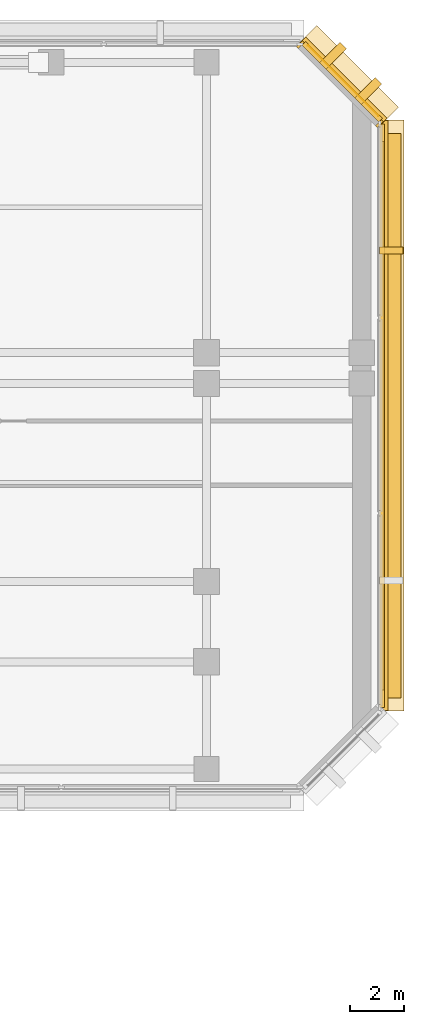
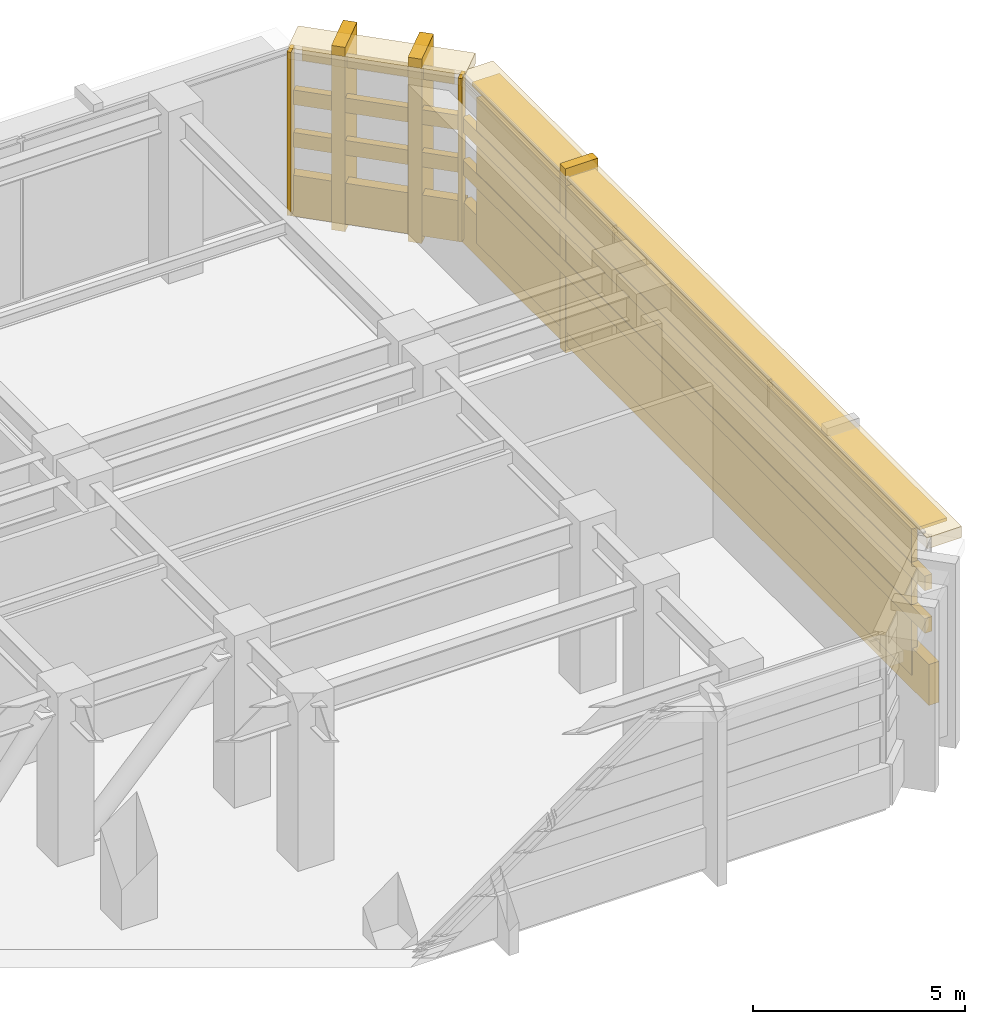
# One storey, part 13 of 13: 14 coverings, 2 shading devices.
"""IFC4 building model written with IfcOpenShell, lengths in metres."""

from ifc_helpers import new_model, si_unit, direction, frame, origin, origin_2d, place, context, subcontext, project, spatial, rectangle, extrude, material, layer, layer_set, type_object, element, save


model = new_model("IFC4")

# Units and contexts
model_context = context("Model", 3, precision=1e-05, world=origin(), true_north=direction((0.0, 1.0)))
body_context = subcontext(model_context, "Body", "Model", "MODEL_VIEW")
ifc_project = project(units=[si_unit("LENGTHUNIT", "METRE"), si_unit("AREAUNIT", "SQUARE_METRE"), si_unit("VOLUMEUNIT", "CUBIC_METRE"), si_unit("PLANEANGLEUNIT", "RADIAN"), si_unit("MASSUNIT", "GRAM", prefix="KILO")], contexts=[model_context])

# Site, building, storey
site_placement = place(None, origin())
site = spatial("IfcSite", under=ifc_project, at=site_placement, CompositionType="ELEMENT")
building_placement = place(site_placement, origin())
building = spatial("IfcBuilding", under=site, at=building_placement, Name="Kefirva Bronze Tower", CompositionType="ELEMENT")
storey_placement = place(building_placement, frame((0.0, 0.0, 93.719970703125)))
storey = spatial("IfcBuildingStorey", under=building, at=storey_placement, Name="L22", CompositionType="ELEMENT", Elevation=93.719970703125)

# Coverings
ifc_material = material(Name="Bronze anodised aluminium", Category="aluminium")
ifc_layer_1 = layer(ifc_material, 0.02001953125, Name="Bronze anodised aluminium")
ifc_layer_set_1 = layer_set([ifc_layer_1], Name="Bronze anodised aluminium")
covering_type_1 = type_object("IfcCoveringType", Name="Anodised Bronze Spandrel Cladding 20mm", PredefinedType="CLADDING", material=ifc_layer_set_1)
covering_1_placement = place(storey_placement, frame((56.0400390625, 32.0, -0.16015625), z_axis=(0.0, 0.0, 1.0), x_axis=(0.0, 1.0, 0.0)))
element("IfcCovering", 1, at=covering_1_placement, inside=storey, type_object=covering_type_1, Name="L22 Streamline Horizontal Spandrel Band 6", PredefinedType="CLADDING", context=body_context, shape_type="SweptSolid", body=[
    extrude(rectangle(XDim=22.0400390625, YDim=0.280029296875, at=origin_2d()), origin(), (0.0, 0.0, 1.0), 1.179931640625),
])
for number, where, z_axis, x_axis, name in (
    (2, (55.9599609375, 32.0, 1.858154296875), (0.0, 0.0, 1.0), (0.0, 1.0, 0.0), "L22 Recessed Zone-Break Bronze Louvre Band 6-1"),
    (3, (55.9599609375, 32.0, 3.080078125), (0.0, 0.0, 1.0), (0.0, 1.0, 0.0), "L22 Recessed Zone-Break Bronze Louvre Band 6-2"),
):
    element("IfcCovering", number, at=place(storey_placement, frame(where, z_axis=z_axis, x_axis=x_axis)), inside=storey, type_object=covering_type_1, Name=name, PredefinedType="CLADDING", context=body_context, shape_type="SweptSolid", body=[
        extrude(rectangle(XDim=21.800048828125, YDim=0.199951171875, at=origin_2d()), origin(), (0.0, 0.0, 1.0), 0.419921875),
    ])
covering_2_placement = place(storey_placement, frame((54.507080078125, 44.507080078125, 4.280029296875), z_axis=(0.0, 0.0, 1.0), x_axis=(-0.707106781187, 0.707106781187, 0.0)))
element("IfcCovering", 4, at=covering_2_placement, inside=storey, type_object=covering_type_1, Name="L22 Bronze Spandrel Cladding 5", PredefinedType="CLADDING", context=body_context, shape_type="SweptSolid", body=[
    extrude(rectangle(XDim=3.719482421875, YDim=0.02001953125, at=origin_2d()), origin(), (0.0, 0.0, 1.0), 0.39990234375),
])
for number, where, z_axis, x_axis, name in (
    (5, (55.862060546875, 42.91162109375, 0.0), (0.0, 0.0, 1.0), (-0.707106781187, 0.707106781187, 0.0), "L22 Facade Joint Closure Panel 5S"),
    (6, (52.91162109375, 45.862060546875, 0.0), (0.0, 0.0, 1.0), (-0.707106781187, 0.707106781187, 0.0), "L22 Facade Joint Closure Panel 5E"),
):
    element("IfcCovering", number, at=place(storey_placement, frame(where, z_axis=z_axis, x_axis=x_axis)), inside=storey, type_object=covering_type_1, Name=name, PredefinedType="CLADDING", context=body_context, shape_type="SweptSolid", body=[
        extrude(rectangle(XDim=0.10009765625, YDim=0.320068359375, at=origin_2d()), origin(), (0.0, 0.0, 1.0), 4.699951171875),
    ])
covering_3_placement = place(storey_placement, frame((54.5283203125, 44.5283203125, -0.16015625), z_axis=(0.0, 0.0, 1.0), x_axis=(-0.707106781187, 0.707106781187, 0.0)))
element("IfcCovering", 7, at=covering_3_placement, inside=storey, type_object=covering_type_1, Name="L22 Streamline Horizontal Spandrel Band 7", PredefinedType="CLADDING", context=body_context, shape_type="SweptSolid", body=[
    extrude(rectangle(XDim=4.28271484375, YDim=0.280029296875, at=origin_2d()), origin(), (0.0, 0.0, 1.0), 1.179931640625),
])
for number, where, z_axis, x_axis, name in (
    (8, (54.4716796875, 44.4716796875, 1.858154296875), (0.0, 0.0, 1.0), (-0.707106781187, 0.707106781187, 0.0), "L22 Recessed Zone-Break Bronze Louvre Band 7-1"),
    (9, (54.4716796875, 44.4716796875, 3.080078125), (0.0, 0.0, 1.0), (-0.707106781187, 0.707106781187, 0.0), "L22 Recessed Zone-Break Bronze Louvre Band 7-2"),
):
    element("IfcCovering", number, at=place(storey_placement, frame(where, z_axis=z_axis, x_axis=x_axis)), inside=storey, type_object=covering_type_1, Name=name, PredefinedType="CLADDING", context=body_context, shape_type="SweptSolid", body=[
        extrude(rectangle(XDim=4.04248046875, YDim=0.199951171875, at=origin_2d()), origin(), (0.0, 0.0, 1.0), 0.419921875),
    ])

# Shading devices
ifc_layer_2 = layer(ifc_material, 0.090087890625, Name="Bronze anodised aluminium")
ifc_layer_set_2 = layer_set([ifc_layer_2], Name="Bronze anodised aluminium")
shading_device_type_1 = type_object("IfcShadingDeviceType", Name="Horizontal Bronze Sunshade Band 750mm", PredefinedType="JALOUSIE", material=ifc_layer_set_2)
shading_device_1_placement = place(storey_placement, frame((56.294921875, 32.0, 4.59521484375), z_axis=(0.0, 0.0, 1.0), x_axis=(0.0, 1.0, 0.0)))
element("IfcShadingDevice", 10, at=shading_device_1_placement, inside=storey, type_object=shading_device_type_1, Name="L22 Horizontal Bronze Sunshade Band 6", PredefinedType="JALOUSIE", context=body_context, shape_type="SweptSolid", body=[
    extrude(rectangle(XDim=21.090087890625, YDim=0.75, at=origin_2d()), origin(), (0.0, 0.0, 1.0), 0.090087890625),
])
ifc_layer_3 = layer(ifc_material, 0.159912109375, Name="Bronze anodised aluminium")
ifc_layer_set_3 = layer_set([ifc_layer_3], Name="Bronze anodised aluminium")
shading_device_type_2 = type_object("IfcShadingDeviceType", Name="Recessed Zone-Break Acoustic Louvre Screen", PredefinedType="SHUTTER", material=ifc_layer_set_3)
shading_device_2_placement = place(storey_placement, frame((55.9599609375, 32.0, 0.25), z_axis=(0.0, 0.0, 1.0), x_axis=(0.0, 1.0, 0.0)))
element("IfcShadingDevice", 11, at=shading_device_2_placement, inside=storey, type_object=shading_device_type_2, Name="L22 Acoustic Plant Louvre Screen 6", PredefinedType="SHUTTER", context=body_context, shape_type="SweptSolid", body=[
    extrude(rectangle(XDim=20.489990234375, YDim=0.159912109375, at=origin_2d()), origin(), (0.0, 0.0, 1.0), 4.199951171875),
])

# Coverings
ifc_layer_4 = layer(ifc_material, 0.179931640625, Name="Bronze anodised aluminium")
ifc_layer_set_4 = layer_set([ifc_layer_4], Name="Bronze anodised aluminium")
covering_type_2 = type_object("IfcCoveringType", Name="Streamline Bronze Sunshade Eyebrow Cladding 180mm", PredefinedType="CLADDING", material=ifc_layer_set_4)
covering_4_placement = place(storey_placement, frame((56.31005859375, 32.0, 4.3798828125), z_axis=(0.0, 0.0, 1.0), x_axis=(0.0, 1.0, 0.0)))
element("IfcCovering", 12, at=covering_4_placement, inside=storey, type_object=covering_type_2, Name="L22 Streamline Bronze Sunshade Eyebrow 6", PredefinedType="CLADDING", context=body_context, shape_type="SweptSolid", body=[
    extrude(rectangle(XDim=22.080078125, YDim=0.93994140625, at=origin_2d()), origin(), (0.0, 0.0, 1.0), 0.320068359375),
])
covering_5_placement = place(storey_placement, frame((54.71923828125, 44.71923828125, 4.3798828125), z_axis=(0.0, 0.0, 1.0), x_axis=(-0.707106781187, 0.707106781187, 0.0)))
element("IfcCovering", 13, at=covering_5_placement, inside=storey, type_object=covering_type_2, Name="L22 Streamline Bronze Sunshade Eyebrow 7", PredefinedType="CLADDING", context=body_context, shape_type="SweptSolid", body=[
    extrude(rectangle(XDim=4.322509765625, YDim=0.93994140625, at=origin_2d()), origin(), (0.0, 0.0, 1.0), 0.320068359375),
])
ifc_layer_5 = layer(ifc_material, 0.260009765625, Name="Bronze anodised aluminium")
ifc_layer_set_5 = layer_set([ifc_layer_5], Name="Bronze anodised aluminium")
covering_type_3 = type_object("IfcCoveringType", Name="Unbroken Bronze Buttress Fin Cladding 260mm", PredefinedType="CLADDING", material=ifc_layer_set_5)
covering_6_placement = place(storey_placement, frame((56.300048828125, 38.159912109375, -0.35009765625), z_axis=(0.0, 0.0, 1.0), x_axis=(0.0, 1.0, 0.0)))
element("IfcCovering", 14, at=covering_6_placement, inside=storey, type_object=covering_type_3, Name="L22 Unbroken Vertical Bronze Rib Fin 16", PredefinedType="CLADDING", context=body_context, shape_type="SweptSolid", body=[
    extrude(rectangle(XDim=0.260009765625, YDim=0.8798828125, at=origin_2d()), origin(), (0.0, 0.0, 1.0), 5.300048828125),
])
for number, where, z_axis, x_axis, name in (
    (15, (55.44287109375, 44.122802734375, -0.35009765625), (0.0, 0.0, 1.0), (-0.707106781187, 0.707106781187, 0.0), "L22 Chamfered Corner Buttress Fin Cladding 17"),
    (16, (54.122802734375, 45.44287109375, -0.35009765625), (0.0, 0.0, 1.0), (-0.707106781187, 0.707106781187, 0.0), "L22 Chamfered Corner Buttress Fin Cladding 18"),
):
    element("IfcCovering", number, at=place(storey_placement, frame(where, z_axis=z_axis, x_axis=x_axis)), inside=storey, type_object=covering_type_3, Name=name, PredefinedType="CLADDING", context=body_context, shape_type="SweptSolid", body=[
        extrude(rectangle(XDim=0.340087890625, YDim=1.080078125, at=origin_2d()), origin(), (0.0, 0.0, 1.0), 5.300048828125),
    ])

save(model, "model.ifc")
